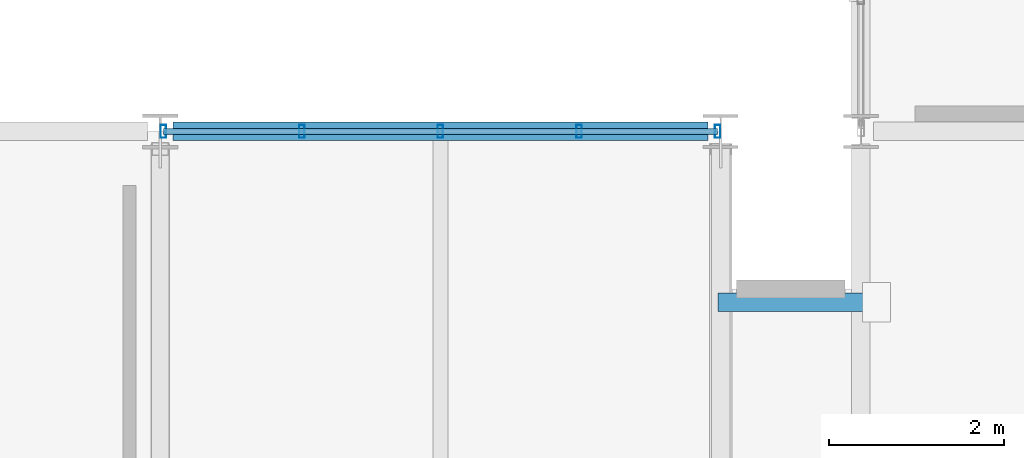
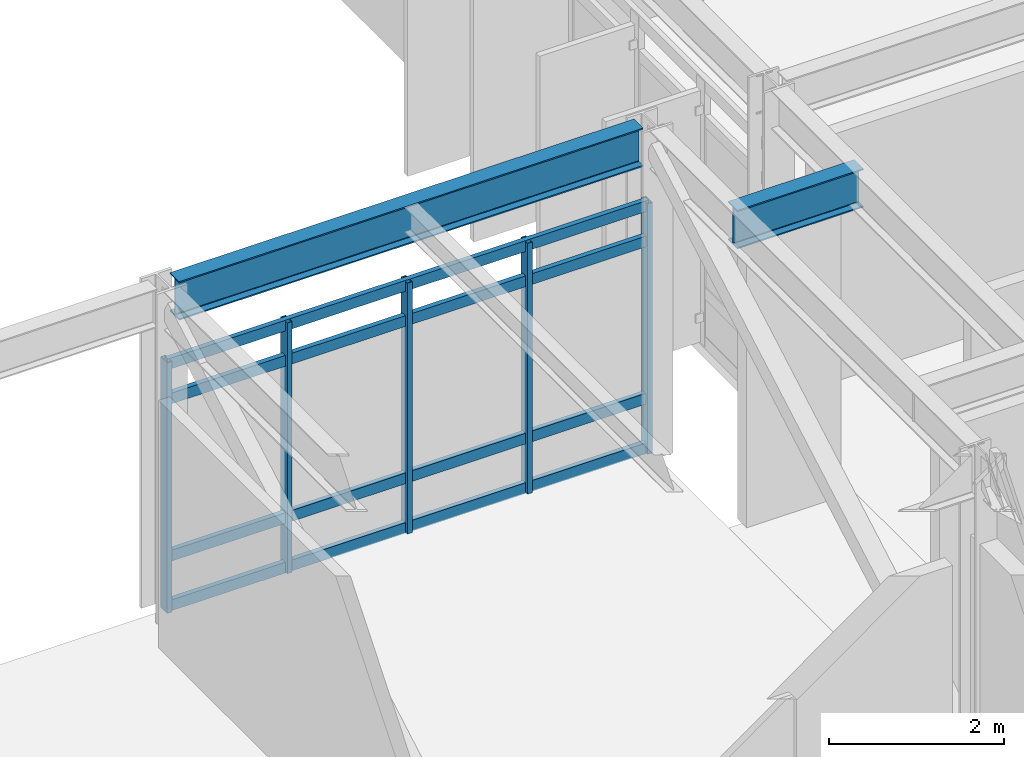
# One storey, part 29 of 104: 9 members, 2 beams, 1 element without a shape of its own.
"""IFC4 building model written with IfcOpenShell, lengths in metres."""

from ifc_helpers import new_model, si_unit, direction, frame, origin, origin_2d, place, context, subcontext, project, spatial, hollow_rectangle, i_section, extrude, material, material_profile, profile_set, type_object, element, aggregate, save


model = new_model("IFC4")

# Units and contexts
model_context = context("Model", 3, precision=1e-05, world=origin(), true_north=direction((0.0, 1.0)))
body_context = subcontext(model_context, "Body", "Model", "MODEL_VIEW")
ifc_project = project(units=[si_unit("LENGTHUNIT", "METRE"), si_unit("AREAUNIT", "SQUARE_METRE"), si_unit("VOLUMEUNIT", "CUBIC_METRE"), si_unit("PLANEANGLEUNIT", "RADIAN"), si_unit("MASSUNIT", "GRAM", prefix="KILO")], contexts=[model_context])

# Site, building, storey
site_placement = place(None, origin())
site = spatial("IfcSite", under=ifc_project, at=site_placement, CompositionType="ELEMENT")
building_placement = place(site_placement, origin())
building = spatial("IfcBuilding", under=site, at=building_placement, Name="Zulena Civic Courthouse", CompositionType="ELEMENT")
storey_placement = place(building_placement, frame((0.0, 0.0, 15.60009765625)))
storey = spatial("IfcBuildingStorey", under=building, at=storey_placement, Name="L03", CompositionType="ELEMENT", Elevation=15.60009765625)

# Beam
ifc_material_1 = material(Name="Steel ASTM A992 Grade 50", Category="steel")
ifc_material_profile_1 = material_profile(ifc_material_1, i_section(OverallWidth=0.2099609375, OverallDepth=0.537109375, WebThickness=0.010986328125, FlangeThickness=0.017333984375, FilletRadius=0.0126953125, at=origin_2d()), Name="W21X68")
ifc_profile_set_1 = profile_set([ifc_material_profile_1], Name="Steel ASTM A992 Grade 50")
beam_type_1 = type_object("IfcBeamType", Name="BridgeGirder_W21X68", PredefinedType="BEAM", material=ifc_profile_set_1)
beam_1_placement = place(storey_placement, frame((66.3701171875, 20.85009765625, 4.31640625), z_axis=(1.0, 0.0, 0.0), x_axis=(0.0, 1.0, 0.0)))
element("IfcBeam", 1, at=beam_1_placement, inside=storey, type_object=beam_type_1, Name="beam:bridge:BR-24:L04:20.85", PredefinedType="BEAM", context=body_context, shape_type="SweptSolid", body=[
    extrude(i_section(OverallWidth=0.2099609375, OverallDepth=0.537109375, WebThickness=0.010986328125, FlangeThickness=0.017333984375, FilletRadius=0.0126953125, at=origin_2d()), origin(), (0.0, 0.0, 1.0), 1.659912109375),
])

# Curtain wall, members
ifc_material_2 = material(Name="Double-silver low-E laminated solar-control glass", Category="glass")
curtain_wall_type = type_object("IfcCurtainWallType", Name="CW_6328x3490", PredefinedType="USERDEFINED", material=ifc_material_2)
curtain_wall_placement = place(storey_placement, origin())
curtain_wall = element("IfcCurtainWall", 2, at=curtain_wall_placement, inside=storey, type_object=curtain_wall_type, Name="cw:V2:L03:1:7", ObjectType="UNITISED CURTAIN WALL", PredefinedType="USERDEFINED")
ifc_material_3 = material(Name="Bronze anodised thermally broken aluminium AA6063-T6", Category="aluminium")
ifc_material_profile_2 = material_profile(ifc_material_3, hollow_rectangle(XDim=0.06494140625, YDim=0.14990234375, WallThickness=0.00390625, at=origin_2d()), Name="CWM150X65X4")
ifc_profile_set_2 = profile_set([ifc_material_profile_2], Name="Bronze anodised thermally broken aluminium AA6063-T6")
member_type_1 = type_object("IfcMemberType", Name="CWMullion_150x65", PredefinedType="MULLION", material=ifc_profile_set_2)
member_1_placement = place(storey_placement, frame((60.035888671875, 22.800048828125, 0.0), z_axis=(0.0, 0.0, 1.0), x_axis=(1.0, 0.0, 0.0)))
member_1 = element("IfcMember", 3, at=member_1_placement, type_object=member_type_1, Name="cw:V2:L03:1:7:mull:0", PredefinedType="MULLION", context=body_context, shape_type="SweptSolid", body=[
    extrude(hollow_rectangle(XDim=0.06494140625, YDim=0.14990234375, WallThickness=0.00390625, at=origin_2d()), origin(), (0.0, 0.0, 1.0), 3.489990234375),
])
member_2_placement = place(storey_placement, frame((61.617919921875, 22.800048828125, 0.0), z_axis=(0.0, 0.0, 1.0), x_axis=(1.0, 0.0, 0.0)))
member_2 = element("IfcMember", 4, at=member_2_placement, type_object=member_type_1, Name="cw:V2:L03:1:7:mull:1", PredefinedType="MULLION", context=body_context, shape_type="SweptSolid", body=[
    extrude(hollow_rectangle(XDim=0.06494140625, YDim=0.14990234375, WallThickness=0.00390625, at=origin_2d()), origin(), (0.0, 0.0, 1.0), 3.489990234375),
])
member_3_placement = place(storey_placement, frame((63.199951171875, 22.800048828125, 0.0), z_axis=(0.0, 0.0, 1.0), x_axis=(1.0, 0.0, 0.0)))
member_3 = element("IfcMember", 5, at=member_3_placement, type_object=member_type_1, Name="cw:V2:L03:1:7:mull:2", PredefinedType="MULLION", context=body_context, shape_type="SweptSolid", body=[
    extrude(hollow_rectangle(XDim=0.06494140625, YDim=0.14990234375, WallThickness=0.00390625, at=origin_2d()), origin(), (0.0, 0.0, 1.0), 3.489990234375),
])
member_4_placement = place(storey_placement, frame((64.781982421875, 22.800048828125, 0.0), z_axis=(0.0, 0.0, 1.0), x_axis=(1.0, 0.0, 0.0)))
member_4 = element("IfcMember", 6, at=member_4_placement, type_object=member_type_1, Name="cw:V2:L03:1:7:mull:3", PredefinedType="MULLION", context=body_context, shape_type="SweptSolid", body=[
    extrude(hollow_rectangle(XDim=0.06494140625, YDim=0.14990234375, WallThickness=0.00390625, at=origin_2d()), origin(), (0.0, 0.0, 1.0), 3.489990234375),
])
member_5_placement = place(storey_placement, frame((66.364013671875, 22.800048828125, 0.0), z_axis=(0.0, 0.0, 1.0), x_axis=(1.0, 0.0, 0.0)))
member_5 = element("IfcMember", 7, at=member_5_placement, type_object=member_type_1, Name="cw:V2:L03:1:7:mull:4", PredefinedType="MULLION", context=body_context, shape_type="SweptSolid", body=[
    extrude(hollow_rectangle(XDim=0.06494140625, YDim=0.14990234375, WallThickness=0.00390625, at=origin_2d()), origin(), (0.0, 0.0, 1.0), 3.489990234375),
])
ifc_material_profile_3 = material_profile(ifc_material_3, hollow_rectangle(XDim=0.06494140625, YDim=0.14990234375, WallThickness=0.00390625, at=origin_2d()), Name="CWT150X65X4")
ifc_profile_set_3 = profile_set([ifc_material_profile_3], Name="Bronze anodised thermally broken aluminium AA6063-T6")
member_type_2 = type_object("IfcMemberType", Name="CWTransom_150x65", PredefinedType="USERDEFINED", material=ifc_profile_set_3)
member_6_placement = place(storey_placement, frame((60.035888671875, 22.800048828125, 0.059814453125), z_axis=(1.0, 0.0, 0.0), x_axis=(0.0, 1.0, 0.0)))
member_6 = element("IfcMember", 8, at=member_6_placement, type_object=member_type_2, Name="cw:V2:L03:1:7:tran:0", ObjectType="TRANSOM", PredefinedType="USERDEFINED", context=body_context, shape_type="SweptSolid", body=[
    extrude(hollow_rectangle(XDim=0.06494140625, YDim=0.14990234375, WallThickness=0.00390625, at=origin_2d()), origin(), (0.0, 0.0, 1.0), 6.328125),
])
member_7_placement = place(storey_placement, frame((60.035888671875, 22.800048828125, 0.75), z_axis=(1.0, 0.0, 0.0), x_axis=(0.0, 1.0, 0.0)))
member_7 = element("IfcMember", 9, at=member_7_placement, type_object=member_type_2, Name="cw:V2:L03:1:7:tran:1", ObjectType="TRANSOM", PredefinedType="USERDEFINED", context=body_context, shape_type="SweptSolid", body=[
    extrude(hollow_rectangle(XDim=0.06494140625, YDim=0.14990234375, WallThickness=0.00390625, at=origin_2d()), origin(), (0.0, 0.0, 1.0), 6.328125),
])
member_8_placement = place(storey_placement, frame((60.035888671875, 22.800048828125, 2.93994140625), z_axis=(1.0, 0.0, 0.0), x_axis=(0.0, 1.0, 0.0)))
member_8 = element("IfcMember", 10, at=member_8_placement, type_object=member_type_2, Name="cw:V2:L03:1:7:tran:2", ObjectType="TRANSOM", PredefinedType="USERDEFINED", context=body_context, shape_type="SweptSolid", body=[
    extrude(hollow_rectangle(XDim=0.06494140625, YDim=0.14990234375, WallThickness=0.00390625, at=origin_2d()), origin(), (0.0, 0.0, 1.0), 6.328125),
])
member_9_placement = place(storey_placement, frame((60.035888671875, 22.800048828125, 3.429931640625), z_axis=(1.0, 0.0, 0.0), x_axis=(0.0, 1.0, 0.0)))
member_9 = element("IfcMember", 11, at=member_9_placement, type_object=member_type_2, Name="cw:V2:L03:1:7:tran:3", ObjectType="TRANSOM", PredefinedType="USERDEFINED", context=body_context, shape_type="SweptSolid", body=[
    extrude(hollow_rectangle(XDim=0.06494140625, YDim=0.14990234375, WallThickness=0.00390625, at=origin_2d()), origin(), (0.0, 0.0, 1.0), 6.328125),
])
aggregate(curtain_wall, [member_1, member_2, member_3, member_4, member_5, member_6, member_7, member_8, member_9])

# Beam
ifc_material_profile_4 = material_profile(ifc_material_1, i_section(OverallWidth=0.2099609375, OverallDepth=0.537109375, WebThickness=0.010986328125, FlangeThickness=0.017333984375, FilletRadius=0.0126953125, at=origin_2d()), Name="W21X68")
ifc_profile_set_4 = profile_set([ifc_material_profile_4], Name="Steel ASTM A992 Grade 50")
beam_type_2 = type_object("IfcBeamType", Name="Spandrel_W21X68", PredefinedType="SPANDREL", material=ifc_profile_set_4)
beam_2_placement = place(storey_placement, frame((60.14501953125, 22.800048828125, 4.3212890625), z_axis=(1.0, 0.0, 0.0), x_axis=(0.0, 1.0, 0.0)))
element("IfcBeam", 12, at=beam_2_placement, inside=storey, type_object=beam_type_2, Name="beam:X:V2:L03:22.8:60.0_66.4", PredefinedType="SPANDREL", context=body_context, shape_type="SweptSolid", body=[
    extrude(i_section(OverallWidth=0.2099609375, OverallDepth=0.537109375, WebThickness=0.010986328125, FlangeThickness=0.017333984375, FilletRadius=0.0126953125, at=origin_2d()), origin(), (0.0, 0.0, 1.0), 6.10986328125),
])

save(model, "model.ifc")
